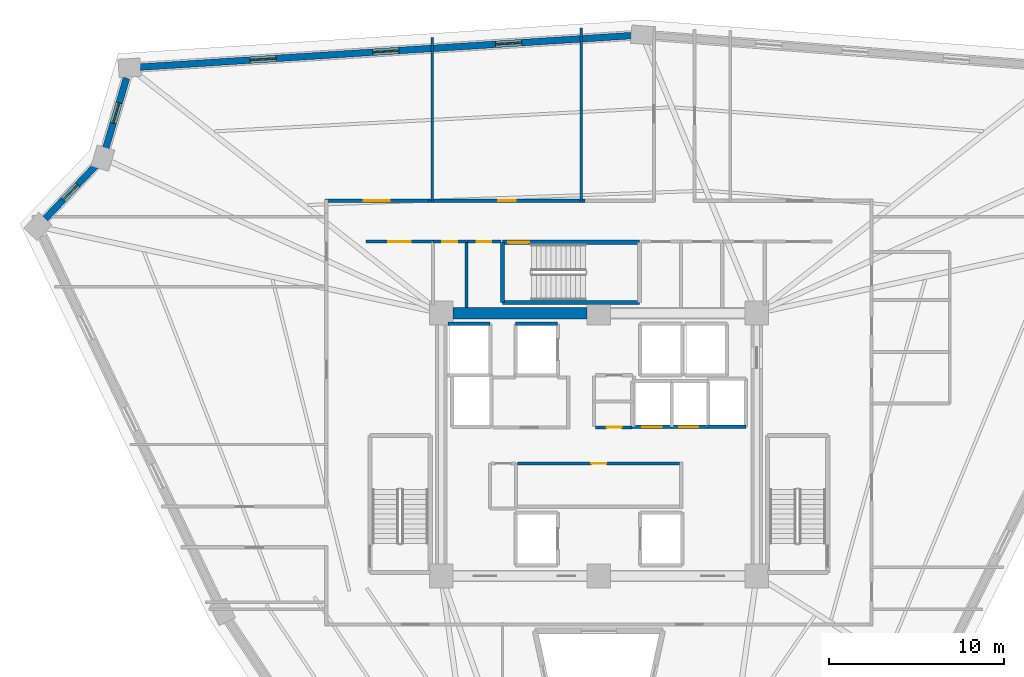
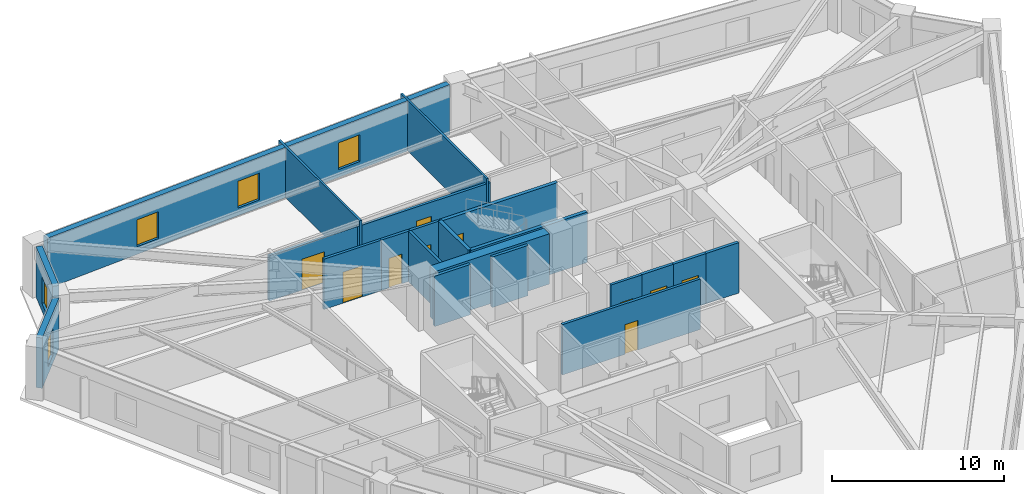
# One storey, part 5 of 8: 22 walls, 10 doors, 5 windows, 15 openings.
"""IFC4 building model written with IfcOpenShell, lengths in metres."""

from ifc_helpers import new_model, si_unit, direction, frame, frame_2d, origin, place, context, subcontext, project, spatial, rectangle, extrude, source, transform, mapped, material, layer, layer_set, type_object, element, fill, save


model = new_model("IFC4")

# Units and contexts
model_context = context("Model", 3, precision=1e-05, world=origin(), true_north=direction((0.0, 1.0)))
body_context = subcontext(model_context, "Body", "Model", "MODEL_VIEW")
ifc_project = project(units=[si_unit("LENGTHUNIT", "METRE"), si_unit("AREAUNIT", "SQUARE_METRE"), si_unit("VOLUMEUNIT", "CUBIC_METRE"), si_unit("PLANEANGLEUNIT", "RADIAN"), si_unit("MASSUNIT", "GRAM", prefix="KILO")], contexts=[model_context])

# Site, building, storey
site_placement = place(None, origin())
site = spatial("IfcSite", under=ifc_project, at=site_placement, CompositionType="ELEMENT")
building_placement = place(site_placement, origin())
building = spatial("IfcBuilding", under=site, at=building_placement, Name="Liaohun Quay Tower", CompositionType="ELEMENT")
storey_placement = place(building_placement, frame((0.0, 0.0, 251.25)))
storey = spatial("IfcBuildingStorey", under=building, at=storey_placement, Name="L65", CompositionType="ELEMENT", Elevation=251.25)

# Wall
ifc_material_1 = material(Name="Concrete C55", Category="concrete")
ifc_layer_1 = layer(ifc_material_1, 0.64990234375, Name="Concrete C55", Category="concrete")
ifc_layer_set_1 = layer_set([ifc_layer_1], Name="Concrete C55")
wall_type_1 = type_object("IfcWallType", Name="WAL-COR-Z3", PredefinedType="SHEAR", material=ifc_layer_set_1)
wall_1_placement = place(storey_placement, frame((51.675048828125, 61.5, 0.0), z_axis=(0.0, 0.0, 1.0), x_axis=(1.0, 0.0, 0.0)))
element("IfcWall", 1, at=wall_1_placement, inside=storey, type_object=wall_type_1, Name="L65 Central Core Shear Wall N-W", PredefinedType="SHEAR", context=body_context, shape_type="SweptSolid", body=[
    extrude(rectangle(XDim=7.64990234375, YDim=0.64990234375, at=frame_2d((3.824951171875, 0.0))), origin(), (0.0, 0.0, 1.0), 3.570068359375),
])

# Wall, openings, windows
ifc_material_2 = material(Name="Precast concrete C50 insulated sandwich", Category="concrete")
ifc_layer_2 = layer(ifc_material_2, 0.3798828125, Name="Precast concrete C50 insulated sandwich", Category="concrete")
ifc_layer_set_2 = layer_set([ifc_layer_2], Name="Precast concrete C50 insulated sandwich")
wall_type_2 = type_object("IfcWallType", Name="WAL-EXT-Z34", PredefinedType="SOLIDWALL", material=ifc_layer_set_2)
wall_2_placement = place(storey_placement, frame((61.85009765625, 77.3310546875, 0.0), z_axis=(0.0, 0.0, 1.0), x_axis=(-0.997946898195, -0.064046767155, 0.0)))
wall_2 = element("IfcWall", 2, at=wall_2_placement, inside=storey, type_object=wall_type_2, Name="L65 Brutalist Precast Pier Wall 07", PredefinedType="SOLIDWALL", context=body_context, shape_type="SweptSolid", body=[
    extrude(rectangle(XDim=28.07470703125, YDim=0.3798828125, at=frame_2d((14.037353515625, 0.0))), origin(), (0.0, 0.0, 1.0), 3.570068359375),
])
shared_shape_1 = source(origin(), body_context, "Body", "SweptSolid", [
    extrude(rectangle(XDim=1.5, YDim=1.89990234375, at=frame_2d((0.75, 0.949951171875))), frame((0.0, 0.199951171875, 0.0), z_axis=(0.0, -1.0, 0.0), x_axis=(1.0, 0.0, 0.0)), (0.0, 0.0, 1.0), 0.39990234375),
])
opening_1_placement = place(wall_2_placement, frame((6.26904296875, 0.0, 0.550048828125)))
opening_1 = element("IfcOpeningElement", 3, at=opening_1_placement, cuts=wall_2, Name="Opening W03", PredefinedType="OPENING", context=body_context, shape_type="MappedRepresentation", body=[
    mapped(shared_shape_1, transform((0.0, 0.0, 0.0), x_axis=(1.0, 0.0, 0.0), y_axis=(0.0, 1.0, 0.0), z_axis=(0.0, 0.0, 1.0), scale=1.0)),
])
opening_2_placement = place(wall_2_placement, frame((13.287109375, 0.0, 0.550048828125)))
opening_2 = element("IfcOpeningElement", 4, at=opening_2_placement, cuts=wall_2, Name="Opening W03", PredefinedType="OPENING", context=body_context, shape_type="MappedRepresentation", body=[
    mapped(shared_shape_1, transform((0.0, 0.0, 0.0), x_axis=(1.0, 0.0, 0.0), y_axis=(0.0, 1.0, 0.0), z_axis=(0.0, 0.0, 1.0), scale=1.0)),
])
opening_3_placement = place(wall_2_placement, frame((20.305908203125, 0.0, 0.550048828125)))
opening_3 = element("IfcOpeningElement", 5, at=opening_3_placement, cuts=wall_2, Name="Opening W03", PredefinedType="OPENING", context=body_context, shape_type="MappedRepresentation", body=[
    mapped(shared_shape_1, transform((0.0, 0.0, 0.0), x_axis=(1.0, 0.0, 0.0), y_axis=(0.0, 1.0, 0.0), z_axis=(0.0, 0.0, 1.0), scale=1.0)),
])
ifc_material_3 = material(Name="Triple Low-E argon glazing in thermally broken aluminium", Category="aluminium")
window_type_1 = type_object("IfcWindowType", Name="WIN-PUN-Z3", PartitioningType="DOUBLE_PANEL_VERTICAL", PredefinedType="WINDOW", material=ifc_material_3)
shared_shape_2 = source(origin(), body_context, "Body", "SweptSolid", [
    extrude(rectangle(XDim=1.5, YDim=1.89990234375, at=frame_2d((0.75, 0.949951171875))), frame((0.0, 0.030029296875, 0.0), z_axis=(0.0, -1.0, 0.0), x_axis=(1.0, 0.0, 0.0)), (0.0, 0.0, 1.0), 0.06005859375),
])
window_1_placement = place(opening_1_placement, origin())
window_1 = element("IfcWindow", 6, at=window_1_placement, inside=storey, type_object=window_type_1, Name="L65 Recessed Cold-Climate Punched Window 07-1", OverallHeight=1.89990234375, OverallWidth=1.5, PartitioningType="DOUBLE_PANEL_VERTICAL", PredefinedType="WINDOW", context=body_context, shape_type="MappedRepresentation", body=[
    mapped(shared_shape_2, transform((0.0, 0.0, 0.0), x_axis=(1.0, 0.0, 0.0), y_axis=(0.0, 1.0, 0.0), z_axis=(0.0, 0.0, 1.0), scale=1.0)),
])
fill(opening_1, window_1)
window_2_placement = place(opening_2_placement, origin())
window_2 = element("IfcWindow", 7, at=window_2_placement, inside=storey, type_object=window_type_1, Name="L65 Recessed Cold-Climate Punched Window 07-2", OverallHeight=1.89990234375, OverallWidth=1.5, PartitioningType="DOUBLE_PANEL_VERTICAL", PredefinedType="WINDOW", context=body_context, shape_type="MappedRepresentation", body=[
    mapped(shared_shape_2, transform((0.0, 0.0, 0.0), x_axis=(1.0, 0.0, 0.0), y_axis=(0.0, 1.0, 0.0), z_axis=(0.0, 0.0, 1.0), scale=1.0)),
])
fill(opening_2, window_2)
window_3_placement = place(opening_3_placement, origin())
window_3 = element("IfcWindow", 8, at=window_3_placement, inside=storey, type_object=window_type_1, Name="L65 Recessed Cold-Climate Punched Window 07-3", OverallHeight=1.89990234375, OverallWidth=1.5, PartitioningType="DOUBLE_PANEL_VERTICAL", PredefinedType="WINDOW", context=body_context, shape_type="MappedRepresentation", body=[
    mapped(shared_shape_2, transform((0.0, 0.0, 0.0), x_axis=(1.0, 0.0, 0.0), y_axis=(0.0, 1.0, 0.0), z_axis=(0.0, 0.0, 1.0), scale=1.0)),
])
fill(opening_3, window_3)

# Wall, opening, window
wall_3_placement = place(storey_placement, frame((33.044921875, 74.904052734375, 0.0), z_axis=(0.0, 0.0, 1.0), x_axis=(-0.282772261865, -0.959187076602, 0.0)))
wall_3 = element("IfcWall", 9, at=wall_3_placement, inside=storey, type_object=wall_type_2, Name="L65 Brutalist Precast Pier Wall 08", PredefinedType="SOLIDWALL", context=body_context, shape_type="SweptSolid", body=[
    extrude(rectangle(XDim=4.144287109375, YDim=0.3798828125, at=frame_2d((2.072265625, 0.0))), origin(), (0.0, 0.0, 1.0), 3.570068359375),
])
shared_shape_3 = source(origin(), body_context, "Body", "SweptSolid", [
    extrude(rectangle(XDim=1.199951171875, YDim=1.89990234375, at=frame_2d((0.60009765625, 0.949951171875))), frame((0.0, 0.199951171875, 0.0), z_axis=(0.0, -1.0, 0.0), x_axis=(1.0, 0.0, 0.0)), (0.0, 0.0, 1.0), 0.39990234375),
])
opening_4_placement = place(wall_3_placement, frame((1.471923828125, 0.0, 0.550048828125)))
opening_4 = element("IfcOpeningElement", 10, at=opening_4_placement, cuts=wall_3, Name="Opening W05", PredefinedType="OPENING", context=body_context, shape_type="MappedRepresentation", body=[
    mapped(shared_shape_3, transform((0.0, 0.0, 0.0), x_axis=(1.0, 0.0, 0.0), y_axis=(0.0, 1.0, 0.0), z_axis=(0.0, 0.0, 1.0), scale=1.0)),
])
ifc_material_4 = material(Name="Triple Low-E corner notch glazing", Category="glass")
window_type_2 = type_object("IfcWindowType", Name="WIN-NOTCH", PartitioningType="SINGLE_PANEL", PredefinedType="WINDOW", material=ifc_material_4)
shared_shape_4 = source(origin(), body_context, "Body", "SweptSolid", [
    extrude(rectangle(XDim=1.199951171875, YDim=1.89990234375, at=frame_2d((0.60009765625, 0.949951171875))), frame((0.0, 0.030029296875, 0.0), z_axis=(0.0, -1.0, 0.0), x_axis=(1.0, 0.0, 0.0)), (0.0, 0.0, 1.0), 0.06005859375),
])
window_4_placement = place(opening_4_placement, origin())
window_4 = element("IfcWindow", 11, at=window_4_placement, inside=storey, type_object=window_type_2, Name="L65 Corner Notch Window W05-08", OverallHeight=1.89990234375, OverallWidth=1.199951171875, PartitioningType="SINGLE_PANEL", PredefinedType="WINDOW", context=body_context, shape_type="MappedRepresentation", body=[
    mapped(shared_shape_4, transform((0.0, 0.0, 0.0), x_axis=(1.0, 0.0, 0.0), y_axis=(0.0, 1.0, 0.0), z_axis=(0.0, 0.0, 1.0), scale=1.0)),
])
fill(opening_4, window_4)

wall_4_placement = place(storey_placement, frame((31.27490234375, 69.89306640625, 0.0), z_axis=(0.0, 0.0, 1.0), x_axis=(-0.689387760278, -0.724392515131, 0.0)))
wall_4 = element("IfcWall", 12, at=wall_4_placement, inside=storey, type_object=wall_type_2, Name="L65 Brutalist Precast Pier Wall 09", PredefinedType="SOLIDWALL", context=body_context, shape_type="SweptSolid", body=[
    extrude(rectangle(XDim=4.14990234375, YDim=0.3798828125, at=frame_2d((2.074951171875, 0.0))), origin(), (0.0, 0.0, 1.0), 3.570068359375),
])
opening_5_placement = place(wall_4_placement, frame((1.47509765625, 0.0, 0.550048828125)))
opening_5 = element("IfcOpeningElement", 13, at=opening_5_placement, cuts=wall_4, Name="Opening W05", PredefinedType="OPENING", context=body_context, shape_type="MappedRepresentation", body=[
    mapped(shared_shape_3, transform((0.0, 0.0, 0.0), x_axis=(1.0, 0.0, 0.0), y_axis=(0.0, 1.0, 0.0), z_axis=(0.0, 0.0, 1.0), scale=1.0)),
])
window_5_placement = place(opening_5_placement, origin())
window_5 = element("IfcWindow", 14, at=window_5_placement, inside=storey, type_object=window_type_2, Name="L65 Corner Notch Window W05-09", OverallHeight=1.89990234375, OverallWidth=1.199951171875, PartitioningType="SINGLE_PANEL", PredefinedType="WINDOW", context=body_context, shape_type="MappedRepresentation", body=[
    mapped(shared_shape_4, transform((0.0, 0.0, 0.0), x_axis=(1.0, 0.0, 0.0), y_axis=(0.0, 1.0, 0.0), z_axis=(0.0, 0.0, 1.0), scale=1.0)),
])
fill(opening_5, window_5)

# Wall, opening, door
ifc_material_5 = material(Name="Autoclaved aerated concrete blockwork", Category="masonry")
ifc_layer_3 = layer(ifc_material_5, 0.179931640625, Name="Autoclaved aerated concrete blockwork", Category="masonry")
ifc_layer_set_3 = layer_set([ifc_layer_3], Name="Autoclaved aerated concrete blockwork")
wall_type_3 = type_object("IfcWallType", Name="WAL-PRT-COR", PredefinedType="PARTITIONING", material=ifc_layer_set_3)
wall_5_placement = place(storey_placement, frame((55.3701171875, 52.919921875, 0.0), z_axis=(0.0, 0.0, 1.0), x_axis=(1.0, 0.0, 0.0)))
wall_5 = element("IfcWall", 15, at=wall_5_placement, inside=storey, type_object=wall_type_3, Name="L65 Interior Partition Wall 001", PredefinedType="PARTITIONING", context=body_context, shape_type="SweptSolid", body=[
    extrude(rectangle(XDim=9.239990234375, YDim=0.179931640625, at=frame_2d((4.6201171875, 0.0))), origin(), (0.0, 0.0, 1.0), 3.570068359375),
])
shared_shape_5 = source(origin(), body_context, "Body", "SweptSolid", [
    extrude(rectangle(XDim=0.85009765625, YDim=2.10009765625, at=frame_2d((0.425048828125, 1.050048828125))), frame((0.0, 0.099853515625, 0.0), z_axis=(0.0, -1.0, 0.0), x_axis=(1.0, 0.0, 0.0)), (0.0, 0.0, 1.0), 0.199951171875),
])
opening_6_placement = place(wall_5_placement, frame((4.205078125, 0.0, 0.0)))
opening_6 = element("IfcOpeningElement", 16, at=opening_6_placement, cuts=wall_5, Name="Opening AD1", PredefinedType="OPENING", context=body_context, shape_type="MappedRepresentation", body=[
    mapped(shared_shape_5, transform((0.0, 0.0, 0.0), x_axis=(1.0, 0.0, 0.0), y_axis=(0.0, 1.0, 0.0), z_axis=(0.0, 0.0, 1.0), scale=1.0)),
])
ifc_material_6 = material(Name="Steel riser inspection fire door", Category="steel")
door_type_1 = type_object("IfcDoorType", Name="DOR-SHF-850", OperationType="NOTDEFINED", PredefinedType="DOOR", material=ifc_material_6)
shared_shape_6 = source(origin(), body_context, "Body", "SweptSolid", [
    extrude(rectangle(XDim=0.85009765625, YDim=2.10009765625, at=frame_2d((0.425048828125, 1.050048828125))), frame((0.0, 0.02490234375, 0.0), z_axis=(0.0, -1.0, 0.0), x_axis=(1.0, 0.0, 0.0)), (0.0, 0.0, 1.0), 0.050048828125),
])
door_1_placement = place(opening_6_placement, origin())
door_1 = element("IfcDoor", 17, at=door_1_placement, inside=storey, type_object=door_type_1, Name="L65 Core Tenant Storage and Archive Room Door", OperationType="SINGLE_SWING_LEFT", OverallHeight=2.10009765625, OverallWidth=0.85009765625, PredefinedType="DOOR", context=body_context, shape_type="MappedRepresentation", body=[
    mapped(shared_shape_6, transform((0.0, 0.0, 0.0), x_axis=(1.0, 0.0, 0.0), y_axis=(0.0, 1.0, 0.0), z_axis=(0.0, 0.0, 1.0), scale=1.0)),
])
fill(opening_6, door_1)

wall_6_placement = place(storey_placement, frame((59.81005859375, 54.97998046875, 0.0), z_axis=(0.0, 0.0, 1.0), x_axis=(1.0, 0.0, 0.0)))
wall_6 = element("IfcWall", 18, at=wall_6_placement, inside=storey, type_object=wall_type_3, Name="L65 Interior Partition Wall 003", PredefinedType="PARTITIONING", context=body_context, shape_type="SweptSolid", body=[
    extrude(rectangle(XDim=2.08984375, YDim=0.179931640625, at=frame_2d((1.044921875, 0.0))), origin(), (0.0, 0.0, 1.0), 3.570068359375),
])
opening_7_placement = place(wall_6_placement, frame((0.635009765625, 0.0, 0.0)))
opening_7 = element("IfcOpeningElement", 19, at=opening_7_placement, cuts=wall_6, Name="Opening AD1", PredefinedType="OPENING", context=body_context, shape_type="MappedRepresentation", body=[
    mapped(shared_shape_5, transform((0.0, 0.0, 0.0), x_axis=(1.0, 0.0, 0.0), y_axis=(0.0, 1.0, 0.0), z_axis=(0.0, 0.0, 1.0), scale=1.0)),
])
door_2_placement = place(opening_7_placement, origin())
door_2 = element("IfcDoor", 20, at=door_2_placement, inside=storey, type_object=door_type_1, Name="L65 Electrical Riser Room Door", OperationType="SINGLE_SWING_LEFT", OverallHeight=2.10009765625, OverallWidth=0.85009765625, PredefinedType="DOOR", context=body_context, shape_type="MappedRepresentation", body=[
    mapped(shared_shape_6, transform((0.0, 0.0, 0.0), x_axis=(1.0, 0.0, 0.0), y_axis=(0.0, 1.0, 0.0), z_axis=(0.0, 0.0, 1.0), scale=1.0)),
])
fill(opening_7, door_2)

wall_7_placement = place(storey_placement, frame((50.5400390625, 65.580078125, 0.0), z_axis=(0.0, 0.0, 1.0), x_axis=(1.0, 0.0, 0.0)))
wall_7 = element("IfcWall", 21, at=wall_7_placement, inside=storey, type_object=wall_type_3, Name="L65 Interior Partition Wall 009", PredefinedType="PARTITIONING", context=body_context, shape_type="SweptSolid", body=[
    extrude(rectangle(XDim=1.89990234375, YDim=0.179931640625, at=frame_2d((0.949951171875, 0.0))), origin(), (0.0, 0.0, 1.0), 3.570068359375),
])
opening_8_placement = place(wall_7_placement, frame((0.52490234375, 0.0, 0.0)))
opening_8 = element("IfcOpeningElement", 22, at=opening_8_placement, cuts=wall_7, Name="Opening AD1", PredefinedType="OPENING", context=body_context, shape_type="MappedRepresentation", body=[
    mapped(shared_shape_5, transform((0.0, 0.0, 0.0), x_axis=(1.0, 0.0, 0.0), y_axis=(0.0, 1.0, 0.0), z_axis=(0.0, 0.0, 1.0), scale=1.0)),
])
door_3_placement = place(opening_8_placement, origin())
door_3 = element("IfcDoor", 23, at=door_3_placement, inside=storey, type_object=door_type_1, Name="L65 North-West Riser Closet Door", OperationType="SINGLE_SWING_LEFT", OverallHeight=2.10009765625, OverallWidth=0.85009765625, PredefinedType="DOOR", context=body_context, shape_type="MappedRepresentation", body=[
    mapped(shared_shape_6, transform((0.0, 0.0, 0.0), x_axis=(1.0, 0.0, 0.0), y_axis=(0.0, 1.0, 0.0), z_axis=(0.0, 0.0, 1.0), scale=1.0)),
])
fill(opening_8, door_3)

wall_8_placement = place(storey_placement, frame((52.47998046875, 65.580078125, 0.0), z_axis=(0.0, 0.0, 1.0), x_axis=(1.0, 0.0, 0.0)))
wall_8 = element("IfcWall", 24, at=wall_8_placement, inside=storey, type_object=wall_type_3, Name="L65 Interior Partition Wall 010", PredefinedType="PARTITIONING", context=body_context, shape_type="SweptSolid", body=[
    extrude(rectangle(XDim=1.929931640625, YDim=0.179931640625, at=frame_2d((0.96484375, 0.0))), origin(), (0.0, 0.0, 1.0), 3.570068359375),
])
opening_9_placement = place(wall_8_placement, frame((0.5400390625, 0.0, 0.0)))
opening_9 = element("IfcOpeningElement", 25, at=opening_9_placement, cuts=wall_8, Name="Opening AD1", PredefinedType="OPENING", context=body_context, shape_type="MappedRepresentation", body=[
    mapped(shared_shape_5, transform((0.0, 0.0, 0.0), x_axis=(1.0, 0.0, 0.0), y_axis=(0.0, 1.0, 0.0), z_axis=(0.0, 0.0, 1.0), scale=1.0)),
])
door_4_placement = place(opening_9_placement, origin())
door_4 = element("IfcDoor", 26, at=door_4_placement, inside=storey, type_object=door_type_1, Name="L65 North-West Print Closet Door", OperationType="SINGLE_SWING_RIGHT", OverallHeight=2.10009765625, OverallWidth=0.85009765625, PredefinedType="DOOR", context=body_context, shape_type="MappedRepresentation", body=[
    mapped(shared_shape_6, transform((0.0, 0.0, 0.0), x_axis=(1.0, 0.0, 0.0), y_axis=(0.0, 1.0, 0.0), z_axis=(0.0, 0.0, 1.0), scale=1.0)),
])
fill(opening_9, door_4)

wall_9_placement = place(storey_placement, frame((46.699951171875, 65.580078125, 0.0), z_axis=(0.0, 0.0, 1.0), x_axis=(1.0, 0.0, 0.0)))
wall_9 = element("IfcWall", 27, at=wall_9_placement, inside=storey, type_object=wall_type_3, Name="L65 Interior Partition Wall 014", PredefinedType="PARTITIONING", context=body_context, shape_type="SweptSolid", body=[
    extrude(rectangle(XDim=3.840087890625, YDim=0.179931640625, at=frame_2d((1.919921875, 0.0))), origin(), (0.0, 0.0, 1.0), 3.570068359375),
])
shared_shape_7 = source(origin(), body_context, "Body", "SweptSolid", [
    extrude(rectangle(XDim=1.300048828125, YDim=2.199951171875, at=frame_2d((0.64990234375, 1.10009765625))), frame((0.0, 0.099853515625, 0.0), z_axis=(0.0, -1.0, 0.0), x_axis=(1.0, 0.0, 0.0)), (0.0, 0.0, 1.0), 0.199951171875),
])
opening_10_placement = place(wall_9_placement, frame((1.27001953125, 0.0, 0.0)))
opening_10 = element("IfcOpeningElement", 28, at=opening_10_placement, cuts=wall_9, Name="Opening FD1", PredefinedType="OPENING", context=body_context, shape_type="MappedRepresentation", body=[
    mapped(shared_shape_7, transform((0.0, 0.0, 0.0), x_axis=(1.0, 0.0, 0.0), y_axis=(0.0, 1.0, 0.0), z_axis=(0.0, 0.0, 1.0), scale=1.0)),
])
ifc_material_7 = material(Name="Galvanised steel smokeproof fire door", Category="steel")
door_type_2 = type_object("IfcDoorType", Name="DOR-FFL-1300", OperationType="NOTDEFINED", PredefinedType="DOOR", material=ifc_material_7)
shared_shape_8 = source(origin(), body_context, "Body", "SweptSolid", [
    extrude(rectangle(XDim=1.300048828125, YDim=2.199951171875, at=frame_2d((0.64990234375, 1.10009765625))), frame((0.0, 0.02490234375, 0.0), z_axis=(0.0, -1.0, 0.0), x_axis=(1.0, 0.0, 0.0)), (0.0, 0.0, 1.0), 0.050048828125),
])
door_5_placement = place(opening_10_placement, origin())
door_5 = element("IfcDoor", 29, at=door_5_placement, inside=storey, type_object=door_type_2, Name="L65 West Core Vestibule Door", OperationType="SINGLE_SWING_RIGHT", OverallHeight=2.199951171875, OverallWidth=1.300048828125, PredefinedType="DOOR", context=body_context, shape_type="MappedRepresentation", body=[
    mapped(shared_shape_8, transform((0.0, 0.0, 0.0), x_axis=(1.0, 0.0, 0.0), y_axis=(0.0, 1.0, 0.0), z_axis=(0.0, 0.0, 1.0), scale=1.0)),
])
fill(opening_10, door_5)

wall_10_placement = place(storey_placement, frame((50.284912109375, 67.909912109375, 0.0), z_axis=(0.0, 0.0, 1.0), x_axis=(1.0, 0.0, 0.0)))
wall_10 = element("IfcWall", 30, at=wall_10_placement, inside=storey, type_object=wall_type_3, Name="L65 Interior Partition Wall 020", PredefinedType="PARTITIONING", context=body_context, shape_type="SweptSolid", body=[
    extrude(rectangle(XDim=8.93017578125, YDim=0.179931640625, at=frame_2d((4.465087890625, 0.0))), origin(), (0.0, 0.0, 1.0), 3.205078125),
])
shared_shape_9 = source(origin(), body_context, "Body", "SweptSolid", [
    extrude(rectangle(XDim=1.0, YDim=2.199951171875, at=frame_2d((0.5, 1.10009765625))), frame((0.0, 0.099853515625, 0.0), z_axis=(0.0, -1.0, 0.0), x_axis=(1.0, 0.0, 0.0)), (0.0, 0.0, 1.0), 0.199951171875),
])
opening_11_placement = place(wall_10_placement, frame((3.965087890625, 0.0, 0.0)))
opening_11 = element("IfcOpeningElement", 31, at=opening_11_placement, cuts=wall_10, Name="Opening OD1", PredefinedType="OPENING", context=body_context, shape_type="MappedRepresentation", body=[
    mapped(shared_shape_9, transform((0.0, 0.0, 0.0), x_axis=(1.0, 0.0, 0.0), y_axis=(0.0, 1.0, 0.0), z_axis=(0.0, 0.0, 1.0), scale=1.0)),
])
ifc_material_8 = material(Name="Solid-core oak veneer timber leaf in steel frame", Category="steel")
door_type_3 = type_object("IfcDoorType", Name="DOR-OFF-1000", OperationType="NOTDEFINED", PredefinedType="DOOR", material=ifc_material_8)
shared_shape_10 = source(origin(), body_context, "Body", "SweptSolid", [
    extrude(rectangle(XDim=1.0, YDim=2.199951171875, at=frame_2d((0.5, 1.10009765625))), frame((0.0, 0.02490234375, 0.0), z_axis=(0.0, -1.0, 0.0), x_axis=(1.0, 0.0, 0.0)), (0.0, 0.0, 1.0), 0.050048828125),
])
door_6_placement = place(opening_11_placement, origin())
door_6 = element("IfcDoor", 32, at=door_6_placement, inside=storey, type_object=door_type_3, Name="L65 Occupational Wellness Clinic 05 Door", OperationType="SINGLE_SWING_RIGHT", OverallHeight=2.199951171875, OverallWidth=1.0, PredefinedType="DOOR", context=body_context, shape_type="MappedRepresentation", body=[
    mapped(shared_shape_10, transform((0.0, 0.0, 0.0), x_axis=(1.0, 0.0, 0.0), y_axis=(0.0, 1.0, 0.0), z_axis=(0.0, 0.0, 1.0), scale=1.0)),
])
fill(opening_11, door_6)

wall_11_placement = place(storey_placement, frame((44.3701171875, 67.909912109375, 0.0), z_axis=(0.0, 0.0, 1.0), x_axis=(1.0, 0.0, 0.0)))
wall_11 = element("IfcWall", 33, at=wall_11_placement, inside=storey, type_object=wall_type_3, Name="L65 Interior Partition Wall 021", PredefinedType="PARTITIONING", context=body_context, shape_type="SweptSolid", body=[
    extrude(rectangle(XDim=5.914794921875, YDim=0.179931640625, at=frame_2d((2.95751953125, 0.0))), origin(), (0.0, 0.0, 1.0), 3.205078125),
])
shared_shape_11 = source(origin(), body_context, "Body", "SweptSolid", [
    extrude(rectangle(XDim=1.5, YDim=2.199951171875, at=frame_2d((0.75, 1.10009765625))), frame((0.0, 0.099853515625, 0.0), z_axis=(0.0, -1.0, 0.0), x_axis=(1.0, 0.0, 0.0)), (0.0, 0.0, 1.0), 0.199951171875),
])
opening_12_placement = place(wall_11_placement, frame((2.20703125, 0.0, 0.0)))
opening_12 = element("IfcOpeningElement", 34, at=opening_12_placement, cuts=wall_11, Name="Opening OD2", PredefinedType="OPENING", context=body_context, shape_type="MappedRepresentation", body=[
    mapped(shared_shape_11, transform((0.0, 0.0, 0.0), x_axis=(1.0, 0.0, 0.0), y_axis=(0.0, 1.0, 0.0), z_axis=(0.0, 0.0, 1.0), scale=1.0)),
])
ifc_material_9 = material(Name="Acoustic oak veneer double door")
door_type_4 = type_object("IfcDoorType", Name="DOR-OFF-1500", OperationType="DOUBLE_DOOR_SINGLE_SWING", PredefinedType="DOOR", material=ifc_material_9)
shared_shape_12 = source(origin(), body_context, "Body", "SweptSolid", [
    extrude(rectangle(XDim=1.5, YDim=2.199951171875, at=frame_2d((0.75, 1.10009765625))), frame((0.0, 0.02490234375, 0.0), z_axis=(0.0, -1.0, 0.0), x_axis=(1.0, 0.0, 0.0)), (0.0, 0.0, 1.0), 0.050048828125),
])
door_7_placement = place(opening_12_placement, origin())
door_7 = element("IfcDoor", 35, at=door_7_placement, inside=storey, type_object=door_type_4, Name="L65 Staff Tea Kitchen and Pantry 06 Door", OperationType="DOUBLE_DOOR_SINGLE_SWING", OverallHeight=2.199951171875, OverallWidth=1.5, PredefinedType="DOOR", context=body_context, shape_type="MappedRepresentation", body=[
    mapped(shared_shape_12, transform((0.0, 0.0, 0.0), x_axis=(1.0, 0.0, 0.0), y_axis=(0.0, 1.0, 0.0), z_axis=(0.0, 0.0, 1.0), scale=1.0)),
])
fill(opening_12, door_7)

# Walls
wall_12_placement = place(storey_placement, frame((52.43994140625, 61.824951171875, 0.0), z_axis=(0.0, 0.0, 1.0), x_axis=(0.0, 1.0, 0.0)))
element("IfcWall", 36, at=wall_12_placement, inside=storey, type_object=wall_type_3, Name="L65 Interior Partition Wall 041", PredefinedType="PARTITIONING", context=body_context, shape_type="SweptSolid", body=[
    extrude(rectangle(XDim=3.755126953125, YDim=0.179931640625, at=frame_2d((1.87744140625, 0.0))), origin(), (0.0, 0.0, 1.0), 3.570068359375),
])
ifc_material_10 = material(Name="Gypsum board on twin steel studs", Category="steel")
ifc_layer_4 = layer(ifc_material_10, 0.139892578125, Name="Gypsum board on twin steel studs", Category="steel")
ifc_layer_set_4 = layer_set([ifc_layer_4], Name="Gypsum board on twin steel studs")
wall_type_4 = type_object("IfcWallType", Name="WAL-PRT-OFF", PredefinedType="PARTITIONING", material=ifc_layer_set_4)
wall_13_placement = place(storey_placement, frame((50.5, 67.81005859375, 0.0), z_axis=(0.0, 0.0, 1.0), x_axis=(0.0, 1.0, 0.0)))
element("IfcWall", 37, at=wall_13_placement, inside=storey, type_object=wall_type_4, Name="L65 Interior Partition Wall 062", PredefinedType="PARTITIONING", context=body_context, shape_type="SweptSolid", body=[
    extrude(rectangle(XDim=9.423828125, YDim=0.139892578125, at=frame_2d((4.7119140625, 0.0))), origin(), (0.0, 0.0, 1.0), 3.570068359375),
])
wall_14_placement = place(storey_placement, frame((59.0, 67.81005859375, 0.0), z_axis=(0.0, 0.0, 1.0), x_axis=(0.0, 1.0, 0.0)))
element("IfcWall", 38, at=wall_14_placement, inside=storey, type_object=wall_type_4, Name="L65 Interior Partition Wall 063", PredefinedType="PARTITIONING", context=body_context, shape_type="SweptSolid", body=[
    extrude(rectangle(XDim=9.968994140625, YDim=0.139892578125, at=frame_2d((4.984375, 0.0))), origin(), (0.0, 0.0, 1.0), 3.570068359375),
])
ifc_material_11 = material(Name="Concrete C50", Category="concrete")
ifc_layer_5 = layer(ifc_material_11, 0.239990234375, Name="Concrete C50", Category="concrete")
ifc_layer_set_5 = layer_set([ifc_layer_5], Name="Concrete C50")
wall_type_5 = type_object("IfcWallType", Name="WAL-SHF-200", PredefinedType="SOLIDWALL", material=ifc_layer_set_5)
wall_15_placement = place(storey_placement, frame((54.5, 62.10009765625, 0.0), z_axis=(0.0, 0.0, 1.0), x_axis=(1.0, 0.0, 0.0)))
element("IfcWall", 39, at=wall_15_placement, inside=storey, type_object=wall_type_5, Name="L65 Stairwell ST-3 Structural Core Wall S", PredefinedType="SOLIDWALL", context=body_context, shape_type="SweptSolid", body=[
    extrude(rectangle(XDim=7.820068359375, YDim=0.239990234375, at=frame_2d((3.91015625, 0.0))), origin(), (0.0, 0.0, 1.0), 3.570068359375),
])

# Wall, opening, door
wall_16_placement = place(storey_placement, frame((62.320068359375, 65.5400390625, 0.0), z_axis=(0.0, 0.0, 1.0), x_axis=(-1.0, 0.0, 0.0)))
wall_16 = element("IfcWall", 40, at=wall_16_placement, inside=storey, type_object=wall_type_5, Name="L65 Stairwell ST-3 Structural Core Wall N", PredefinedType="SOLIDWALL", context=body_context, shape_type="SweptSolid", body=[
    extrude(rectangle(XDim=7.820068359375, YDim=0.239990234375, at=frame_2d((3.91015625, 0.0))), origin(), (0.0, 0.0, 1.0), 3.570068359375),
])
shared_shape_13 = source(origin(), body_context, "Body", "SweptSolid", [
    extrude(rectangle(XDim=1.199951171875, YDim=2.199951171875, at=frame_2d((0.60009765625, 1.10009765625))), frame((0.0, 0.1298828125, 0.0), z_axis=(0.0, -1.0, 0.0), x_axis=(1.0, 0.0, 0.0)), (0.0, 0.0, 1.0), 0.260009765625),
])
opening_13_placement = place(wall_16_placement, frame((6.300048828125, 0.0, 0.0)))
opening_13 = element("IfcOpeningElement", 41, at=opening_13_placement, cuts=wall_16, Name="Opening SD1", PredefinedType="OPENING", context=body_context, shape_type="MappedRepresentation", body=[
    mapped(shared_shape_13, transform((0.0, 0.0, 0.0), x_axis=(1.0, 0.0, 0.0), y_axis=(0.0, 1.0, 0.0), z_axis=(0.0, 0.0, 1.0), scale=1.0)),
])
ifc_material_12 = material(Name="Galvanised steel fire door", Category="steel")
door_type_5 = type_object("IfcDoorType", Name="DOR-STR-1200", OperationType="NOTDEFINED", PredefinedType="DOOR", material=ifc_material_12)
shared_shape_14 = source(origin(), body_context, "Body", "SweptSolid", [
    extrude(rectangle(XDim=1.199951171875, YDim=2.199951171875, at=frame_2d((0.60009765625, 1.10009765625))), frame((0.0, 0.02490234375, 0.0), z_axis=(0.0, -1.0, 0.0), x_axis=(1.0, 0.0, 0.0)), (0.0, 0.0, 1.0), 0.050048828125),
])
door_8_placement = place(opening_13_placement, origin())
door_8 = element("IfcDoor", 42, at=door_8_placement, inside=storey, type_object=door_type_5, Name="L65 Protected Stair ST-3 Fire Door", OperationType="SINGLE_SWING_RIGHT", OverallHeight=2.199951171875, OverallWidth=1.199951171875, PredefinedType="DOOR", context=body_context, shape_type="MappedRepresentation", body=[
    mapped(shared_shape_14, transform((0.0, 0.0, 0.0), x_axis=(1.0, 0.0, 0.0), y_axis=(0.0, 1.0, 0.0), z_axis=(0.0, 0.0, 1.0), scale=1.0)),
])
fill(opening_13, door_8)

# Walls
wall_17_placement = place(storey_placement, frame((54.5, 65.5400390625, 0.0), z_axis=(0.0, 0.0, 1.0), x_axis=(0.0, -1.0, 0.0)))
element("IfcWall", 43, at=wall_17_placement, inside=storey, type_object=wall_type_5, Name="L65 Stairwell ST-3 Structural Core Wall W", PredefinedType="SOLIDWALL", context=body_context, shape_type="SweptSolid", body=[
    extrude(rectangle(XDim=3.43994140625, YDim=0.239990234375, at=frame_2d((1.719970703125, 0.0))), origin(), (0.0, 0.0, 1.0), 3.570068359375),
])
wall_18_placement = place(storey_placement, frame((57.64990234375, 60.8798828125, 0.0), z_axis=(0.0, 0.0, 1.0), x_axis=(-1.0, 0.0, 0.0)))
element("IfcWall", 44, at=wall_18_placement, inside=storey, type_object=wall_type_5, Name="L65 Lift FF-03 Hoistway Wall N", PredefinedType="SOLIDWALL", context=body_context, shape_type="SweptSolid", body=[
    extrude(rectangle(XDim=2.39990234375, YDim=0.199951171875, at=frame_2d((1.199951171875, 0.0))), origin(), (0.0, 0.0, 1.0), 3.570068359375),
])
wall_19_placement = place(storey_placement, frame((53.800048828125, 60.8798828125, 0.0), z_axis=(0.0, 0.0, 1.0), x_axis=(-1.0, 0.0, 0.0)))
element("IfcWall", 45, at=wall_19_placement, inside=storey, type_object=wall_type_5, Name="L65 Lift SH-01 Hoistway Wall N", PredefinedType="SOLIDWALL", context=body_context, shape_type="SweptSolid", body=[
    extrude(rectangle(XDim=2.400146484375, YDim=0.199951171875, at=frame_2d((1.2001953125, 0.0))), origin(), (0.0, 0.0, 1.0), 3.570068359375),
])
wall_20_placement = place(storey_placement, frame((66.199951171875, 55.0, 0.0), z_axis=(0.0, 0.0, 1.0), x_axis=(1.0, 0.0, 0.0)))
element("IfcWall", 46, at=wall_20_placement, inside=storey, type_object=wall_type_5, Name="L65 Lift SH-03 Hoistway Wall S", PredefinedType="SOLIDWALL", context=body_context, shape_type="SweptSolid", body=[
    extrude(rectangle(XDim=2.179931640625, YDim=0.199951171875, at=frame_2d((1.08984375, 0.0))), origin(), (0.0, 0.0, 1.0), 3.570068359375),
])

# Wall, opening, door
wall_21_placement = place(storey_placement, frame((61.89990234375, 55.0, 0.0), z_axis=(0.0, 0.0, 1.0), x_axis=(1.0, 0.0, 0.0)))
wall_21 = element("IfcWall", 47, at=wall_21_placement, inside=storey, type_object=wall_type_5, Name="L65 Lift PL-3A Hoistway Wall S", PredefinedType="SOLIDWALL", context=body_context, shape_type="SweptSolid", body=[
    extrude(rectangle(XDim=2.25, YDim=0.199951171875, at=frame_2d((1.125, 0.0))), origin(), (0.0, 0.0, 1.0), 3.570068359375),
])
shared_shape_15 = source(origin(), body_context, "Body", "SweptSolid", [
    extrude(rectangle(XDim=1.10009765625, YDim=2.199951171875, at=frame_2d((0.550048828125, 1.10009765625))), frame((0.0, 0.10986328125, 0.0), z_axis=(0.0, -1.0, 0.0), x_axis=(1.0, 0.0, 0.0)), (0.0, 0.0, 1.0), 0.219970703125),
])
opening_14_placement = place(wall_21_placement, frame((0.574951171875, 0.0, 0.0)))
opening_14 = element("IfcOpeningElement", 48, at=opening_14_placement, cuts=wall_21, Name="Opening LD1", PredefinedType="OPENING", context=body_context, shape_type="MappedRepresentation", body=[
    mapped(shared_shape_15, transform((0.0, 0.0, 0.0), x_axis=(1.0, 0.0, 0.0), y_axis=(0.0, 1.0, 0.0), z_axis=(0.0, 0.0, 1.0), scale=1.0)),
])
ifc_material_13 = material(Name="Brushed stainless steel landing door", Category="steel")
door_type_6 = type_object("IfcDoorType", Name="DOR-LFT-1100", OperationType="SLIDING_TO_LEFT", PredefinedType="DOOR", material=ifc_material_13)
shared_shape_16 = source(origin(), body_context, "Body", "SweptSolid", [
    extrude(rectangle(XDim=1.10009765625, YDim=2.199951171875, at=frame_2d((0.550048828125, 1.10009765625))), frame((0.0, 0.02490234375, 0.0), z_axis=(0.0, -1.0, 0.0), x_axis=(1.0, 0.0, 0.0)), (0.0, 0.0, 1.0), 0.050048828125),
])
door_9_placement = place(opening_14_placement, origin())
door_9 = element("IfcDoor", 49, at=door_9_placement, inside=storey, type_object=door_type_6, Name="L65 Lift PL-3A Sliding Landing Door", OperationType="SLIDING_TO_LEFT", OverallHeight=2.199951171875, OverallWidth=1.10009765625, PredefinedType="DOOR", context=body_context, shape_type="MappedRepresentation", body=[
    mapped(shared_shape_16, transform((0.0, 0.0, 0.0), x_axis=(1.0, 0.0, 0.0), y_axis=(0.0, 1.0, 0.0), z_axis=(0.0, 0.0, 1.0), scale=1.0)),
])
fill(opening_14, door_9)

wall_22_placement = place(storey_placement, frame((64.0, 55.0, 0.0), z_axis=(0.0, 0.0, 1.0), x_axis=(1.0, 0.0, 0.0)))
wall_22 = element("IfcWall", 50, at=wall_22_placement, inside=storey, type_object=wall_type_5, Name="L65 Lift PL-3B Hoistway Wall S", PredefinedType="SOLIDWALL", context=body_context, shape_type="SweptSolid", body=[
    extrude(rectangle(XDim=2.25, YDim=0.199951171875, at=frame_2d((1.125, 0.0))), origin(), (0.0, 0.0, 1.0), 3.570068359375),
])
opening_15_placement = place(wall_22_placement, frame((0.574951171875, 0.0, 0.0)))
opening_15 = element("IfcOpeningElement", 51, at=opening_15_placement, cuts=wall_22, Name="Opening LD1", PredefinedType="OPENING", context=body_context, shape_type="MappedRepresentation", body=[
    mapped(shared_shape_15, transform((0.0, 0.0, 0.0), x_axis=(1.0, 0.0, 0.0), y_axis=(0.0, 1.0, 0.0), z_axis=(0.0, 0.0, 1.0), scale=1.0)),
])
door_10_placement = place(opening_15_placement, origin())
door_10 = element("IfcDoor", 52, at=door_10_placement, inside=storey, type_object=door_type_6, Name="L65 Lift PL-3B Sliding Landing Door", OperationType="SLIDING_TO_LEFT", OverallHeight=2.199951171875, OverallWidth=1.10009765625, PredefinedType="DOOR", context=body_context, shape_type="MappedRepresentation", body=[
    mapped(shared_shape_16, transform((0.0, 0.0, 0.0), x_axis=(1.0, 0.0, 0.0), y_axis=(0.0, 1.0, 0.0), z_axis=(0.0, 0.0, 1.0), scale=1.0)),
])
fill(opening_15, door_10)

save(model, "model.ifc")
